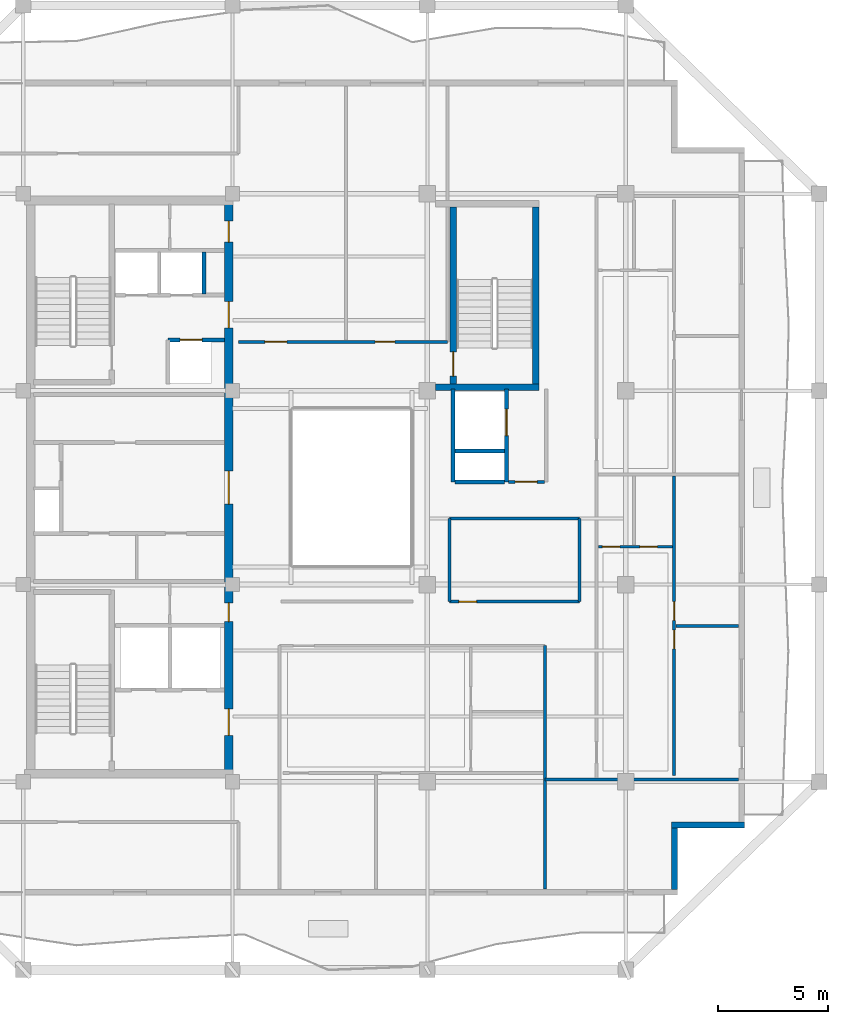
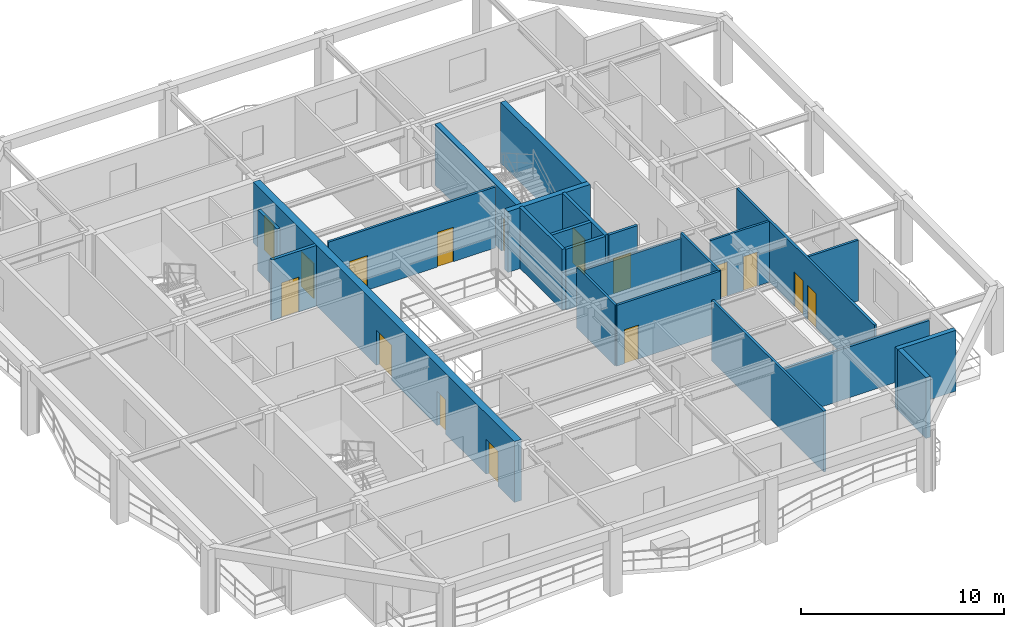
# One storey, part 4 of 10: 23 walls, 16 doors, 16 openings.
"""IFC4 building model written with IfcOpenShell, lengths in metres."""

from ifc_helpers import new_model, si_unit, direction, frame, frame_2d, origin, place, context, subcontext, project, spatial, rectangle, extrude, material, layer, layer_set, type_object, element, fill, save


model = new_model("IFC4")

# Units and contexts
model_context = context("Model", 3, precision=1e-05, world=origin(), true_north=direction((0.0, 1.0)))
body_context = subcontext(model_context, "Body", "Model", "MODEL_VIEW")
ifc_project = project(units=[si_unit("LENGTHUNIT", "METRE"), si_unit("AREAUNIT", "SQUARE_METRE"), si_unit("VOLUMEUNIT", "CUBIC_METRE"), si_unit("PLANEANGLEUNIT", "RADIAN"), si_unit("MASSUNIT", "GRAM", prefix="KILO")], contexts=[model_context])

# Site, building, storey
site_placement = place(None, origin())
site = spatial("IfcSite", under=ifc_project, at=site_placement, CompositionType="ELEMENT")
building_placement = place(site_placement, origin())
building = spatial("IfcBuilding", under=site, at=building_placement, Name="Kundavana Baori Tower", CompositionType="ELEMENT")
storey_placement = place(building_placement, frame((0.0, 0.0, 296.0)))
storey = spatial("IfcBuildingStorey", under=building, at=storey_placement, Name="L73", CompositionType="ELEMENT", Elevation=296.0)

# Wall, openings, doors
ifc_material_1 = material(Name="Concrete C50/60", Category="concrete")
ifc_layer_1 = layer(ifc_material_1, 0.39990234375, Name="WL-CORE-400")
ifc_layer_set_1 = layer_set([ifc_layer_1], Name="Concrete C50/60")
wall_type_1 = type_object("IfcWallType", Name="WL-CORE-400", PredefinedType="SHEAR", material=ifc_layer_set_1)
wall_1_placement = place(storey_placement, frame((24.780029296875, 15.739990234375, 0.0), z_axis=(0.0, 0.0, 1.0), x_axis=(0.0, 1.0, 0.0)))
wall_1 = element("IfcWall", 1, at=wall_1_placement, inside=storey, type_object=wall_type_1, Name="L73 Offset Core East Shear Wall", PredefinedType="SHEAR", context=body_context, shape_type="SweptSolid", body=[
    extrude(rectangle(XDim=25.760009765625, YDim=0.39990234375, at=frame_2d((12.8798828125, 0.0))), origin(), (0.0, 0.0, 1.0), 3.659912109375),
])
opening_1_placement = place(wall_1_placement, frame((1.610107421875, 0.0, 0.0)))
opening_1 = element("IfcOpeningElement", 2, at=opening_1_placement, cuts=wall_1, Name="Opening FD-120", PredefinedType="OPENING", context=body_context, shape_type="SweptSolid", body=[
    extrude(rectangle(XDim=1.199951171875, YDim=2.10009765625, at=frame_2d((0.60009765625, 1.050048828125))), frame((0.0, 0.2099609375, 0.0), z_axis=(0.0, -1.0, 0.0), x_axis=(1.0, 0.0, 0.0)), (0.0, 0.0, 1.0), 0.419921875),
])
opening_2_placement = place(wall_1_placement, frame((6.780029296875, 0.0, 0.0)))
opening_2 = element("IfcOpeningElement", 3, at=opening_2_placement, cuts=wall_1, Name="Opening FD-085", PredefinedType="OPENING", context=body_context, shape_type="SweptSolid", body=[
    extrude(rectangle(XDim=0.85009765625, YDim=2.06005859375, at=frame_2d((0.425048828125, 1.030029296875))), frame((0.0, 0.2099609375, 0.0), z_axis=(0.0, -1.0, 0.0), x_axis=(1.0, 0.0, 0.0)), (0.0, 0.0, 1.0), 0.419921875),
])
opening_3_placement = place(wall_1_placement, frame((12.110107421875, 0.0, 0.0)))
opening_3 = element("IfcOpeningElement", 4, at=opening_3_placement, cuts=wall_1, Name="Opening FD-150", PredefinedType="OPENING", context=body_context, shape_type="SweptSolid", body=[
    extrude(rectangle(XDim=1.5, YDim=2.1201171875, at=frame_2d((0.75, 1.06005859375))), frame((0.0, 0.2099609375, 0.0), z_axis=(0.0, -1.0, 0.0), x_axis=(1.0, 0.0, 0.0)), (0.0, 0.0, 1.0), 0.419921875),
])
opening_4_placement = place(wall_1_placement, frame((20.110107421875, 0.0, 0.0)))
opening_4 = element("IfcOpeningElement", 5, at=opening_4_placement, cuts=wall_1, Name="Opening FD-122", PredefinedType="OPENING", context=body_context, shape_type="SweptSolid", body=[
    extrude(rectangle(XDim=1.199951171875, YDim=2.1201171875, at=frame_2d((0.60009765625, 1.06005859375))), frame((0.0, 0.2099609375, 0.0), z_axis=(0.0, -1.0, 0.0), x_axis=(1.0, 0.0, 0.0)), (0.0, 0.0, 1.0), 0.419921875),
])
opening_5_placement = place(wall_1_placement, frame((24.010009765625, 0.0, 0.0)))
opening_5 = element("IfcOpeningElement", 6, at=opening_5_placement, cuts=wall_1, Name="Opening FD-095", PredefinedType="OPENING", context=body_context, shape_type="SweptSolid", body=[
    extrude(rectangle(XDim=0.949951171875, YDim=2.10009765625, at=frame_2d((0.47509765625, 1.050048828125))), frame((0.0, 0.2099609375, 0.0), z_axis=(0.0, -1.0, 0.0), x_axis=(1.0, 0.0, 0.0)), (0.0, 0.0, 1.0), 0.419921875),
])
ifc_material_2 = material(Name="Galvanised Steel Fire-Rated Door Leaf", Category="steel")
door_type_1 = type_object("IfcDoorType", Name="DR-FD120-1200", OperationType="NOTDEFINED", PredefinedType="DOOR", material=ifc_material_2)
door_1_placement = place(opening_1_placement, frame((1.199951171875, 0.0, 0.0), z_axis=(0.0, 0.0, 1.0), x_axis=(-1.0, 0.0, 0.0)))
door_1 = element("IfcDoor", 7, at=door_1_placement, inside=storey, type_object=door_type_1, Name="DR-L73-FFLOB-E", OperationType="SINGLE_SWING_RIGHT", OverallHeight=2.10009765625, OverallWidth=1.199951171875, PredefinedType="DOOR", context=body_context, shape_type="SweptSolid", body=[
    extrude(rectangle(XDim=1.199951171875, YDim=2.10009765625, at=frame_2d((0.60009765625, 1.050048828125))), frame((0.0, 0.02490234375, 0.0), z_axis=(0.0, -1.0, 0.0), x_axis=(1.0, 0.0, 0.0)), (0.0, 0.0, 1.0), 0.050048828125),
])
fill(opening_1, door_1)
ifc_material_3 = material(Name="Galvanised Steel Fire-Rated Door Leaf", Category="steel")
door_type_2 = type_object("IfcDoorType", Name="DR-FD60-1200", OperationType="NOTDEFINED", PredefinedType="DOOR", material=ifc_material_3)
door_2_placement = place(opening_4_placement, frame((1.199951171875, 0.0, 0.0), z_axis=(0.0, 0.0, 1.0), x_axis=(-1.0, 0.0, 0.0)))
door_2 = element("IfcDoor", 8, at=door_2_placement, inside=storey, type_object=door_type_2, Name="DR-L73-HRLOB-E", OperationType="SINGLE_SWING_RIGHT", OverallHeight=2.1201171875, OverallWidth=1.199951171875, PredefinedType="DOOR", context=body_context, shape_type="SweptSolid", body=[
    extrude(rectangle(XDim=1.199951171875, YDim=2.1201171875, at=frame_2d((0.60009765625, 1.06005859375))), frame((0.0, 0.02490234375, 0.0), z_axis=(0.0, -1.0, 0.0), x_axis=(1.0, 0.0, 0.0)), (0.0, 0.0, 1.0), 0.050048828125),
])
fill(opening_4, door_2)
ifc_material_4 = material(Name="Galvanised Steel Fire-Rated Door Leaf", Category="steel")
door_type_3 = type_object("IfcDoorType", Name="DR-FD60-1500", OperationType="NOTDEFINED", PredefinedType="DOOR", material=ifc_material_4)
door_3_placement = place(opening_3_placement, frame((1.5, 0.0, 0.0), z_axis=(0.0, 0.0, 1.0), x_axis=(-1.0, 0.0, 0.0)))
door_3 = element("IfcDoor", 9, at=door_3_placement, inside=storey, type_object=door_type_3, Name="DR-L73-LIFTHALL-E", OperationType="SINGLE_SWING_LEFT", OverallHeight=2.1201171875, OverallWidth=1.5, PredefinedType="DOOR", context=body_context, shape_type="SweptSolid", body=[
    extrude(rectangle(XDim=1.5, YDim=2.1201171875, at=frame_2d((0.75, 1.06005859375))), frame((0.0, 0.02490234375, 0.0), z_axis=(0.0, -1.0, 0.0), x_axis=(1.0, 0.0, 0.0)), (0.0, 0.0, 1.0), 0.050048828125),
])
fill(opening_3, door_3)
ifc_material_5 = material(Name="Galvanised Steel Fire-Rated Door Leaf", Category="steel")
door_type_4 = type_object("IfcDoorType", Name="DR-FD60-850", OperationType="NOTDEFINED", PredefinedType="DOOR", material=ifc_material_5)
door_4_placement = place(opening_2_placement, frame((0.85009765625, 0.0, 0.0), z_axis=(0.0, 0.0, 1.0), x_axis=(-1.0, 0.0, 0.0)))
door_4 = element("IfcDoor", 10, at=door_4_placement, inside=storey, type_object=door_type_4, Name="DR-L73-CSMK2", OperationType="SINGLE_SWING_RIGHT", OverallHeight=2.06005859375, OverallWidth=0.85009765625, PredefinedType="DOOR", context=body_context, shape_type="SweptSolid", body=[
    extrude(rectangle(XDim=0.85009765625, YDim=2.06005859375, at=frame_2d((0.425048828125, 1.030029296875))), frame((0.0, 0.02490234375, 0.0), z_axis=(0.0, -1.0, 0.0), x_axis=(1.0, 0.0, 0.0)), (0.0, 0.0, 1.0), 0.050048828125),
])
fill(opening_2, door_4)
ifc_material_6 = material(Name="Engineered Teak Fire-Rated Timber Door Leaf", Category="wood")
door_type_5 = type_object("IfcDoorType", Name="DR-FD60-950", OperationType="NOTDEFINED", PredefinedType="DOOR", material=ifc_material_6)
door_5_placement = place(opening_5_placement, frame((0.949951171875, 0.0, 0.0), z_axis=(0.0, 0.0, 1.0), x_axis=(-1.0, 0.0, 0.0)))
door_5 = element("IfcDoor", 11, at=door_5_placement, inside=storey, type_object=door_type_5, Name="DR-L73-CSRV2", OperationType="SINGLE_SWING_RIGHT", OverallHeight=2.10009765625, OverallWidth=0.949951171875, PredefinedType="DOOR", context=body_context, shape_type="SweptSolid", body=[
    extrude(rectangle(XDim=0.949951171875, YDim=2.10009765625, at=frame_2d((0.47509765625, 1.050048828125))), frame((0.0, 0.02490234375, 0.0), z_axis=(0.0, -1.0, 0.0), x_axis=(1.0, 0.0, 0.0)), (0.0, 0.0, 1.0), 0.050048828125),
])
fill(opening_5, door_5)

# Walls
ifc_material_7 = material(Name="Kiln-Fired Terracotta Brick-Slip Masonry on Concrete C40/50", Category="masonry")
ifc_layer_2 = layer(ifc_material_7, 0.260009765625, Name="WL-EXT-BRK-260")
ifc_layer_set_2 = layer_set([ifc_layer_2], Name="Kiln-Fired Terracotta Brick-Slip Masonry on Concrete C40/50")
wall_type_2 = type_object("IfcWallType", Name="WL-EXT-BRK-260", PredefinedType="SOLIDWALL", material=ifc_layer_set_2)
wall_2_placement = place(storey_placement, frame((45.02001953125, 10.360107421875, 0.0), z_axis=(0.0, 0.0, 1.0), x_axis=(0.0, 1.0, 0.0)))
element("IfcWall", 12, at=wall_2_placement, inside=storey, type_object=wall_type_2, Name="L73 Exterior Insulated Facade Wall 02", PredefinedType="SOLIDWALL", context=body_context, shape_type="SweptSolid", body=[
    extrude(rectangle(XDim=2.789794921875, YDim=0.260009765625, at=frame_2d((1.39501953125, 0.0))), origin(), (0.0, 0.0, 1.0), 3.659912109375),
])
wall_3_placement = place(storey_placement, frame((44.889892578125, 13.280029296875, 0.0), z_axis=(0.0, 0.0, 1.0), x_axis=(1.0, 0.0, 0.0)))
element("IfcWall", 13, at=wall_3_placement, inside=storey, type_object=wall_type_2, Name="L73 Exterior Insulated Facade Wall 03", PredefinedType="SOLIDWALL", context=body_context, shape_type="SweptSolid", body=[
    extrude(rectangle(XDim=3.31005859375, YDim=0.260009765625, at=frame_2d((1.655029296875, 0.0))), origin(), (0.0, 0.0, 1.0), 3.659912109375),
])

# Wall, openings, doors
ifc_material_8 = material(Name="Acoustic Gypsum Plasterboard on Galvanised Steel Studs", Category="steel")
ifc_layer_3 = layer(ifc_material_8, 0.135009765625, Name="WL-PART-135")
ifc_layer_set_3 = layer_set([ifc_layer_3], Name="Acoustic Gypsum Plasterboard on Galvanised Steel Studs")
wall_type_3 = type_object("IfcWallType", Name="WL-PART-135", PredefinedType="PARTITIONING", material=ifc_layer_set_3)
wall_4_placement = place(storey_placement, frame((25.219970703125, 35.219970703125, 0.0), z_axis=(0.0, 0.0, 1.0), x_axis=(1.0, 0.0, 0.0)))
wall_4 = element("IfcWall", 14, at=wall_4_placement, inside=storey, type_object=wall_type_3, Name="WL-L73-RN", PredefinedType="PARTITIONING", context=body_context, shape_type="SweptSolid", body=[
    extrude(rectangle(XDim=9.5, YDim=0.135009765625, at=frame_2d((4.75, 0.0))), origin(), (0.0, 0.0, 1.0), 3.659912109375),
])
opening_6_placement = place(wall_4_placement, frame((1.199951171875, 0.0, 0.0)))
opening_6 = element("IfcOpeningElement", 15, at=opening_6_placement, cuts=wall_4, Name="Opening ID-100", PredefinedType="OPENING", context=body_context, shape_type="SweptSolid", body=[
    extrude(rectangle(XDim=1.0, YDim=2.080078125, at=frame_2d((0.5, 1.0400390625))), frame((0.0, 0.07763671875, 0.0), z_axis=(0.0, -1.0, 0.0), x_axis=(1.0, 0.0, 0.0)), (0.0, 0.0, 1.0), 0.155029296875),
])
opening_7_placement = place(wall_4_placement, frame((6.199951171875, 0.0, 0.0)))
opening_7 = element("IfcOpeningElement", 16, at=opening_7_placement, cuts=wall_4, Name="Opening ID-090", PredefinedType="OPENING", context=body_context, shape_type="SweptSolid", body=[
    extrude(rectangle(XDim=0.89990234375, YDim=2.080078125, at=frame_2d((0.449951171875, 1.0400390625))), frame((0.0, 0.07763671875, 0.0), z_axis=(0.0, -1.0, 0.0), x_axis=(1.0, 0.0, 0.0)), (0.0, 0.0, 1.0), 0.155029296875),
])
ifc_material_9 = material(Name="Engineered Teak Solid-Core Timber Veneer", Category="wood")
door_type_6 = type_object("IfcDoorType", Name="DR-INT-1000", OperationType="NOTDEFINED", PredefinedType="DOOR", material=ifc_material_9)
door_6_placement = place(opening_6_placement, origin())
door_6 = element("IfcDoor", 17, at=door_6_placement, inside=storey, type_object=door_type_6, Name="DR-L73-RLN1", OperationType="SINGLE_SWING_LEFT", OverallHeight=2.080078125, OverallWidth=1.0, PredefinedType="DOOR", context=body_context, shape_type="SweptSolid", body=[
    extrude(rectangle(XDim=1.0, YDim=2.080078125, at=frame_2d((0.5, 1.0400390625))), frame((0.0, 0.02490234375, 0.0), z_axis=(0.0, -1.0, 0.0), x_axis=(1.0, 0.0, 0.0)), (0.0, 0.0, 1.0), 0.050048828125),
])
fill(opening_6, door_6)
ifc_material_10 = material(Name="Engineered Teak Solid-Core Timber Veneer", Category="wood")
door_type_7 = type_object("IfcDoorType", Name="DR-INT-900", OperationType="NOTDEFINED", PredefinedType="DOOR", material=ifc_material_10)
door_7_placement = place(opening_7_placement, origin())
door_7 = element("IfcDoor", 18, at=door_7_placement, inside=storey, type_object=door_type_7, Name="DR-L73-RLN2", OperationType="SINGLE_SWING_RIGHT", OverallHeight=2.080078125, OverallWidth=0.89990234375, PredefinedType="DOOR", context=body_context, shape_type="SweptSolid", body=[
    extrude(rectangle(XDim=0.89990234375, YDim=2.080078125, at=frame_2d((0.449951171875, 1.0400390625))), frame((0.0, 0.02490234375, 0.0), z_axis=(0.0, -1.0, 0.0), x_axis=(1.0, 0.0, 0.0)), (0.0, 0.0, 1.0), 0.050048828125),
])
fill(opening_7, door_7)

# Walls
wall_5_placement = place(storey_placement, frame((39.14990234375, 10.3798828125, 0.0), z_axis=(0.0, 0.0, 1.0), x_axis=(0.0, 1.0, 0.0)))
element("IfcWall", 19, at=wall_5_placement, inside=storey, type_object=wall_type_3, Name="WL-L73-RSEND", PredefinedType="PARTITIONING", context=body_context, shape_type="SweptSolid", body=[
    extrude(rectangle(XDim=11.0400390625, YDim=0.135009765625, at=frame_2d((5.52001953125, 0.0))), origin(), (0.0, 0.0, 1.0), 3.659912109375),
])
wall_6_placement = place(storey_placement, frame((39.14990234375, 15.35009765625, 0.0), z_axis=(0.0, 0.0, 1.0), x_axis=(1.0, 0.0, 0.0)))
element("IfcWall", 20, at=wall_6_placement, inside=storey, type_object=wall_type_3, Name="WL-L73-RES", PredefinedType="PARTITIONING", context=body_context, shape_type="SweptSolid", body=[
    extrude(rectangle(XDim=8.77001953125, YDim=0.135009765625, at=frame_2d((4.385009765625, 0.0))), origin(), (0.0, 0.0, 1.0), 3.06005859375),
])

# Wall, openings, doors
wall_7_placement = place(storey_placement, frame((45.00390625, 15.530029296875, 0.0), z_axis=(0.0, 0.0, 1.0), x_axis=(0.0, 1.0, 0.0)))
wall_7 = element("IfcWall", 21, at=wall_7_placement, inside=storey, type_object=wall_type_3, Name="WL-L73-E1-VT", PredefinedType="PARTITIONING", context=body_context, shape_type="SweptSolid", body=[
    extrude(rectangle(XDim=13.590087890625, YDim=0.135009765625, at=frame_2d((6.794921875, 0.0))), origin(), (0.0, 0.0, 1.0), 3.659912109375),
])
opening_8_placement = place(wall_7_placement, frame((5.7451171875, 0.0, 0.0)))
opening_8 = element("IfcOpeningElement", 22, at=opening_8_placement, cuts=wall_7, Name="Opening ID-085", PredefinedType="OPENING", context=body_context, shape_type="SweptSolid", body=[
    extrude(rectangle(XDim=0.85009765625, YDim=2.080078125, at=frame_2d((0.425048828125, 1.0400390625))), frame((0.0, 0.07763671875, 0.0), z_axis=(0.0, -1.0, 0.0), x_axis=(1.0, 0.0, 0.0)), (0.0, 0.0, 1.0), 0.155029296875),
])
opening_9_placement = place(wall_7_placement, frame((7.044921875, 0.0, 0.0)))
opening_9 = element("IfcOpeningElement", 23, at=opening_9_placement, cuts=wall_7, Name="Opening ID-085", PredefinedType="OPENING", context=body_context, shape_type="SweptSolid", body=[
    extrude(rectangle(XDim=0.85009765625, YDim=2.080078125, at=frame_2d((0.425048828125, 1.0400390625))), frame((0.0, 0.07763671875, 0.0), z_axis=(0.0, -1.0, 0.0), x_axis=(1.0, 0.0, 0.0)), (0.0, 0.0, 1.0), 0.155029296875),
])
ifc_material_11 = material(Name="Engineered Teak Solid-Core Timber Veneer", Category="wood")
door_type_8 = type_object("IfcDoorType", Name="DR-INT-850", OperationType="NOTDEFINED", PredefinedType="DOOR", material=ifc_material_11)
door_8_placement = place(opening_8_placement, origin())
door_8 = element("IfcDoor", 24, at=door_8_placement, inside=storey, type_object=door_type_8, Name="DR-L73-E1-B1", OperationType="SINGLE_SWING_LEFT", OverallHeight=2.080078125, OverallWidth=0.85009765625, PredefinedType="DOOR", context=body_context, shape_type="SweptSolid", body=[
    extrude(rectangle(XDim=0.85009765625, YDim=2.080078125, at=frame_2d((0.425048828125, 1.0400390625))), frame((0.0, 0.02490234375, 0.0), z_axis=(0.0, -1.0, 0.0), x_axis=(1.0, 0.0, 0.0)), (0.0, 0.0, 1.0), 0.050048828125),
])
fill(opening_8, door_8)
door_9_placement = place(opening_9_placement, origin())
door_9 = element("IfcDoor", 25, at=door_9_placement, inside=storey, type_object=door_type_8, Name="DR-L73-E1-B2", OperationType="SINGLE_SWING_RIGHT", OverallHeight=2.080078125, OverallWidth=0.85009765625, PredefinedType="DOOR", context=body_context, shape_type="SweptSolid", body=[
    extrude(rectangle(XDim=0.85009765625, YDim=2.080078125, at=frame_2d((0.425048828125, 1.0400390625))), frame((0.0, 0.02490234375, 0.0), z_axis=(0.0, -1.0, 0.0), x_axis=(1.0, 0.0, 0.0)), (0.0, 0.0, 1.0), 0.050048828125),
])
fill(opening_9, door_9)

# Wall
wall_8_placement = place(storey_placement, frame((45.083984375, 22.324951171875, 0.0), z_axis=(0.0, 0.0, 1.0), x_axis=(1.0, 0.0, 0.0)))
element("IfcWall", 26, at=wall_8_placement, inside=storey, type_object=wall_type_3, Name="WL-L73-E1-BDH", PredefinedType="PARTITIONING", context=body_context, shape_type="SweptSolid", body=[
    extrude(rectangle(XDim=2.8359375, YDim=0.135009765625, at=frame_2d((1.41796875, 0.0))), origin(), (0.0, 0.0, 1.0), 3.659912109375),
])

# Wall, opening, door
wall_9_placement = place(storey_placement, frame((34.800048828125, 23.419921875, 0.0), z_axis=(0.0, 0.0, 1.0), x_axis=(1.0, 0.0, 0.0)))
wall_9 = element("IfcWall", 27, at=wall_9_placement, inside=storey, type_object=wall_type_3, Name="WL-L73-ALS", PredefinedType="PARTITIONING", context=body_context, shape_type="SweptSolid", body=[
    extrude(rectangle(XDim=5.89990234375, YDim=0.135009765625, at=frame_2d((2.949951171875, 0.0))), origin(), (0.0, 0.0, 1.0), 3.659912109375),
])
opening_10_placement = place(wall_9_placement, frame((0.429931640625, 0.0, 0.0)))
opening_10 = element("IfcOpeningElement", 28, at=opening_10_placement, cuts=wall_9, Name="Opening WD-080", PredefinedType="OPENING", context=body_context, shape_type="SweptSolid", body=[
    extrude(rectangle(XDim=0.800048828125, YDim=2.050048828125, at=frame_2d((0.39990234375, 1.02490234375))), frame((0.0, 0.07763671875, 0.0), z_axis=(0.0, -1.0, 0.0), x_axis=(1.0, 0.0, 0.0)), (0.0, 0.0, 1.0), 0.155029296875),
])
ifc_material_12 = material(Name="Engineered Teak Solid-Core Timber Veneer", Category="wood")
door_type_9 = type_object("IfcDoorType", Name="DR-WET-800", OperationType="NOTDEFINED", PredefinedType="DOOR", material=ifc_material_12)
door_10_placement = place(opening_10_placement, origin())
door_10 = element("IfcDoor", 29, at=door_10_placement, inside=storey, type_object=door_type_9, Name="DR-L73-RALC1", OperationType="SINGLE_SWING_LEFT", OverallHeight=2.050048828125, OverallWidth=0.800048828125, PredefinedType="DOOR", context=body_context, shape_type="SweptSolid", body=[
    extrude(rectangle(XDim=0.800048828125, YDim=2.050048828125, at=frame_2d((0.39990234375, 1.02490234375))), frame((0.0, 0.02490234375, 0.0), z_axis=(0.0, -1.0, 0.0), x_axis=(1.0, 0.0, 0.0)), (0.0, 0.0, 1.0), 0.050048828125),
])
fill(opening_10, door_10)

# Walls
wall_10_placement = place(storey_placement, frame((34.800048828125, 27.199951171875, 0.0), z_axis=(0.0, 0.0, 1.0), x_axis=(1.0, 0.0, 0.0)))
element("IfcWall", 30, at=wall_10_placement, inside=storey, type_object=wall_type_3, Name="WL-L73-ALN", PredefinedType="PARTITIONING", context=body_context, shape_type="SweptSolid", body=[
    extrude(rectangle(XDim=5.89990234375, YDim=0.135009765625, at=frame_2d((2.949951171875, 0.0))), origin(), (0.0, 0.0, 1.0), 3.360107421875),
])
for number, where, z_axis, x_axis, name in (
    (31, (34.800048828125, 23.419921875, 0.0), (0.0, 0.0, 1.0), (0.0, 1.0, 0.0), "WL-L73-ALW"),
    (32, (40.699951171875, 23.419921875, 0.0), (0.0, 0.0, 1.0), (0.0, 1.0, 0.0), "WL-L73-ALE"),
):
    element("IfcWall", number, at=place(storey_placement, frame(where, z_axis=z_axis, x_axis=x_axis)), inside=storey, type_object=wall_type_3, Name=name, PredefinedType="PARTITIONING", context=body_context, shape_type="SweptSolid", body=[
        extrude(rectangle(XDim=3.780029296875, YDim=0.135009765625, at=frame_2d((1.89013671875, 0.0))), origin(), (0.0, 0.0, 1.0), 3.659912109375),
    ])

# Wall, opening, door
ifc_material_13 = material(Name="Fire-Rated Gypsum Drywall on Galvanised Steel Studs", Category="steel")
ifc_layer_4 = layer(ifc_material_13, 0.14990234375, Name="WL-PART-150")
ifc_layer_set_4 = layer_set([ifc_layer_4], Name="Fire-Rated Gypsum Drywall on Galvanised Steel Studs")
wall_type_4 = type_object("IfcWallType", Name="WL-PART-150", PredefinedType="PARTITIONING", material=ifc_layer_set_4)
wall_11_placement = place(storey_placement, frame((37.47998046875, 28.860107421875, 0.0), z_axis=(0.0, 0.0, 1.0), x_axis=(1.0, 0.0, 0.0)))
wall_11 = element("IfcWall", 33, at=wall_11_placement, inside=storey, type_object=wall_type_4, Name="WL-L73-SVLOB-S", PredefinedType="PARTITIONING", context=body_context, shape_type="SweptSolid", body=[
    extrude(rectangle(XDim=1.64013671875, YDim=0.14990234375, at=frame_2d((0.820068359375, 0.0))), origin(), (0.0, 0.0, 1.0), 3.659912109375),
])
opening_11_placement = place(wall_11_placement, frame((0.300048828125, 0.0, 0.0)))
opening_11 = element("IfcOpeningElement", 34, at=opening_11_placement, cuts=wall_11, Name="Opening FD-100", PredefinedType="OPENING", context=body_context, shape_type="SweptSolid", body=[
    extrude(rectangle(XDim=1.0, YDim=2.10009765625, at=frame_2d((0.5, 1.050048828125))), frame((0.0, 0.0849609375, 0.0), z_axis=(0.0, -1.0, 0.0), x_axis=(1.0, 0.0, 0.0)), (0.0, 0.0, 1.0), 0.169921875),
])
ifc_material_14 = material(Name="Engineered Teak Fire-Rated Timber Door Leaf", Category="wood")
door_type_10 = type_object("IfcDoorType", Name="DR-FD60-1000", OperationType="NOTDEFINED", PredefinedType="DOOR", material=ifc_material_14)
door_11_placement = place(opening_11_placement, origin())
door_11 = element("IfcDoor", 35, at=door_11_placement, inside=storey, type_object=door_type_10, Name="DR-L73-SVLOB-OUT", OperationType="SINGLE_SWING_LEFT", OverallHeight=2.10009765625, OverallWidth=1.0, PredefinedType="DOOR", context=body_context, shape_type="SweptSolid", body=[
    extrude(rectangle(XDim=1.0, YDim=2.10009765625, at=frame_2d((0.5, 1.050048828125))), frame((0.0, 0.02490234375, 0.0), z_axis=(0.0, -1.0, 0.0), x_axis=(1.0, 0.0, 0.0)), (0.0, 0.0, 1.0), 0.050048828125),
])
fill(opening_11, door_11)

ifc_material_15 = material(Name="Autoclaved Aerated Concrete Blockwork Masonry", Category="masonry")
ifc_layer_5 = layer(ifc_material_15, 0.179931640625, Name="WL-SHAFT-180")
ifc_layer_set_5 = layer_set([ifc_layer_5], Name="Autoclaved Aerated Concrete Blockwork Masonry")
wall_type_5 = type_object("IfcWallType", Name="WL-SHAFT-180", PredefinedType="SOLIDWALL", material=ifc_layer_set_5)
wall_12_placement = place(storey_placement, frame((22.02001953125, 35.31005859375, 0.0), z_axis=(0.0, 0.0, 1.0), x_axis=(1.0, 0.0, 0.0)))
wall_12 = element("IfcWall", 36, at=wall_12_placement, inside=storey, type_object=wall_type_5, Name="WL-L73-LP11-N", PredefinedType="SOLIDWALL", context=body_context, shape_type="SweptSolid", body=[
    extrude(rectangle(XDim=2.56005859375, YDim=0.179931640625, at=frame_2d((1.280029296875, 0.0))), origin(), (0.0, 0.0, 1.0), 3.659912109375),
])
opening_12_placement = place(wall_12_placement, frame((0.550048828125, 0.0, 0.0)))
opening_12 = element("IfcOpeningElement", 37, at=opening_12_placement, cuts=wall_12, Name="Opening LD-100", PredefinedType="OPENING", context=body_context, shape_type="SweptSolid", body=[
    extrude(rectangle(XDim=1.0, YDim=2.10009765625, at=frame_2d((0.5, 1.050048828125))), frame((0.0, 0.10009765625, 0.0), z_axis=(0.0, -1.0, 0.0), x_axis=(1.0, 0.0, 0.0)), (0.0, 0.0, 1.0), 0.199951171875),
])
ifc_material_16 = material(Name="Galvanised Steel Fire-Rated Door Leaf", Category="steel")
door_type_11 = type_object("IfcDoorType", Name="DR-SLIDE-LD1000", OperationType="NOTDEFINED", PredefinedType="DOOR", material=ifc_material_16)
door_12_placement = place(opening_12_placement, origin())
door_12 = element("IfcDoor", 38, at=door_12_placement, inside=storey, type_object=door_type_11, Name="DR-L73-LD-LP11", OperationType="DOUBLE_DOOR_SLIDING", OverallHeight=2.10009765625, OverallWidth=1.0, PredefinedType="DOOR", context=body_context, shape_type="SweptSolid", body=[
    extrude(rectangle(XDim=1.0, YDim=2.10009765625, at=frame_2d((0.5, 1.050048828125))), frame((0.0, 0.02490234375, 0.0), z_axis=(0.0, -1.0, 0.0), x_axis=(1.0, 0.0, 0.0)), (0.0, 0.0, 1.0), 0.050048828125),
])
fill(opening_12, door_12)

# Walls
wall_13_placement = place(storey_placement, frame((23.659912109375, 37.39990234375, 0.0), z_axis=(0.0, 0.0, 1.0), x_axis=(0.0, 1.0, 0.0)))
element("IfcWall", 39, at=wall_13_placement, inside=storey, type_object=wall_type_5, Name="WL-L73-HR-DIV2", PredefinedType="SOLIDWALL", context=body_context, shape_type="SweptSolid", body=[
    extrude(rectangle(XDim=1.900146484375, YDim=0.179931640625, at=frame_2d((0.9501953125, 0.0))), origin(), (0.0, 0.0, 1.0), 3.659912109375),
])
wall_14_placement = place(storey_placement, frame((34.9599609375, 28.860107421875, 0.0), z_axis=(0.0, 0.0, 1.0), x_axis=(0.0, 1.0, 0.0)))
element("IfcWall", 40, at=wall_14_placement, inside=storey, type_object=wall_type_5, Name="WL-L73-SVL-W", PredefinedType="SOLIDWALL", context=body_context, shape_type="SweptSolid", body=[
    extrude(rectangle(XDim=4.219970703125, YDim=0.179931640625, at=frame_2d((2.10986328125, 0.0))), origin(), (0.0, 0.0, 1.0), 3.659912109375),
])

# Wall, opening, door
wall_15_placement = place(storey_placement, frame((37.389892578125, 28.860107421875, 0.0), z_axis=(0.0, 0.0, 1.0), x_axis=(0.0, 1.0, 0.0)))
wall_15 = element("IfcWall", 41, at=wall_15_placement, inside=storey, type_object=wall_type_5, Name="WL-L73-SVL-E", PredefinedType="SOLIDWALL", context=body_context, shape_type="SweptSolid", body=[
    extrude(rectangle(XDim=4.219970703125, YDim=0.179931640625, at=frame_2d((2.10986328125, 0.0))), origin(), (0.0, 0.0, 1.0), 3.659912109375),
])
opening_13_placement = place(wall_15_placement, frame((2.10009765625, 0.0, 0.0)))
opening_13 = element("IfcOpeningElement", 42, at=opening_13_placement, cuts=wall_15, Name="Opening LD-120", PredefinedType="OPENING", context=body_context, shape_type="SweptSolid", body=[
    extrude(rectangle(XDim=1.199951171875, YDim=2.1201171875, at=frame_2d((0.60009765625, 1.06005859375))), frame((0.0, 0.10009765625, 0.0), z_axis=(0.0, -1.0, 0.0), x_axis=(1.0, 0.0, 0.0)), (0.0, 0.0, 1.0), 0.199951171875),
])
ifc_material_17 = material(Name="Galvanised Steel Fire-Rated Door Leaf", Category="steel")
door_type_12 = type_object("IfcDoorType", Name="DR-SLIDE-LD1200", OperationType="NOTDEFINED", PredefinedType="DOOR", material=ifc_material_17)
door_13_placement = place(opening_13_placement, frame((1.199951171875, 0.0, 0.0), z_axis=(0.0, 0.0, 1.0), x_axis=(-1.0, 0.0, 0.0)))
door_13 = element("IfcDoor", 43, at=door_13_placement, inside=storey, type_object=door_type_12, Name="DR-L73-LD-SVL1", OperationType="DOUBLE_DOOR_SLIDING", OverallHeight=2.1201171875, OverallWidth=1.199951171875, PredefinedType="DOOR", context=body_context, shape_type="SweptSolid", body=[
    extrude(rectangle(XDim=1.199951171875, YDim=2.1201171875, at=frame_2d((0.60009765625, 1.06005859375))), frame((0.0, 0.02490234375, 0.0), z_axis=(0.0, -1.0, 0.0), x_axis=(1.0, 0.0, 0.0)), (0.0, 0.0, 1.0), 0.050048828125),
])
fill(opening_13, door_13)

# Walls
for number, where, z_axis, x_axis, name in (
    (44, (35.050048828125, 28.860107421875, 0.0), (0.0, 0.0, 1.0), (1.0, 0.0, 0.0), "WL-L73-SVL-S"),
    (45, (35.050048828125, 30.27001953125, 0.0), (0.0, 0.0, 1.0), (1.0, 0.0, 0.0), "WL-L73-SVL-M"),
):
    element("IfcWall", number, at=place(storey_placement, frame(where, z_axis=z_axis, x_axis=x_axis)), inside=storey, type_object=wall_type_5, Name=name, PredefinedType="SOLIDWALL", context=body_context, shape_type="SweptSolid", body=[
        extrude(rectangle(XDim=2.25, YDim=0.179931640625, at=frame_2d((1.125, 0.0))), origin(), (0.0, 0.0, 1.0), 3.659912109375),
    ])
ifc_material_18 = material(Name="Concrete C50/60", Category="concrete")
ifc_layer_6 = layer(ifc_material_18, 0.300048828125, Name="WL-ST3-300")
ifc_layer_set_6 = layer_set([ifc_layer_6], Name="Concrete C50/60")
wall_type_6 = type_object("IfcWallType", Name="WL-ST3-300", PredefinedType="SHEAR", material=ifc_layer_set_6)
wall_16_placement = place(storey_placement, frame((34.175048828125, 33.159912109375, 0.0), z_axis=(0.0, 0.0, 1.0), x_axis=(1.0, 0.0, 0.0)))
element("IfcWall", 46, at=wall_16_placement, inside=storey, type_object=wall_type_6, Name="L73 Stair ST3 South Shear Wall", PredefinedType="SHEAR", context=body_context, shape_type="SweptSolid", body=[
    extrude(rectangle(XDim=4.695068359375, YDim=0.300048828125, at=frame_2d((2.34765625, 0.0))), origin(), (0.0, 0.0, 1.0), 3.659912109375),
])

# Wall, opening, door
wall_17_placement = place(storey_placement, frame((34.97998046875, 33.31005859375, 0.0), z_axis=(0.0, 0.0, 1.0), x_axis=(0.0, 1.0, 0.0)))
wall_17 = element("IfcWall", 47, at=wall_17_placement, inside=storey, type_object=wall_type_6, Name="L73 Stair ST3 West Shear Wall", PredefinedType="SHEAR", context=body_context, shape_type="SweptSolid", body=[
    extrude(rectangle(XDim=8.030029296875, YDim=0.300048828125, at=frame_2d((4.01513671875, 0.0))), origin(), (0.0, 0.0, 1.0), 3.659912109375),
])
opening_14_placement = place(wall_17_placement, frame((0.35009765625, 0.0, 0.0)))
opening_14 = element("IfcOpeningElement", 48, at=opening_14_placement, cuts=wall_17, Name="Opening FD-110", PredefinedType="OPENING", context=body_context, shape_type="SweptSolid", body=[
    extrude(rectangle(XDim=1.10009765625, YDim=2.10009765625, at=frame_2d((0.550048828125, 1.050048828125))), frame((0.0, 0.16015625, 0.0), z_axis=(0.0, -1.0, 0.0), x_axis=(1.0, 0.0, 0.0)), (0.0, 0.0, 1.0), 0.320068359375),
])
ifc_material_19 = material(Name="Galvanised Steel Fire-Rated Door Leaf", Category="steel")
door_type_13 = type_object("IfcDoorType", Name="DR-FD120-1100", OperationType="NOTDEFINED", PredefinedType="DOOR", material=ifc_material_19)
door_14_placement = place(opening_14_placement, origin())
door_14 = element("IfcDoor", 49, at=door_14_placement, inside=storey, type_object=door_type_13, Name="DR-L73-ST3-W", OperationType="SINGLE_SWING_LEFT", OverallHeight=2.10009765625, OverallWidth=1.10009765625, PredefinedType="DOOR", context=body_context, shape_type="SweptSolid", body=[
    extrude(rectangle(XDim=1.10009765625, YDim=2.10009765625, at=frame_2d((0.550048828125, 1.050048828125))), frame((0.0, 0.02490234375, 0.0), z_axis=(0.0, -1.0, 0.0), x_axis=(1.0, 0.0, 0.0)), (0.0, 0.0, 1.0), 0.050048828125),
])
fill(opening_14, door_14)

# Wall
wall_18_placement = place(storey_placement, frame((38.719970703125, 33.31005859375, 0.0), z_axis=(0.0, 0.0, 1.0), x_axis=(0.0, 1.0, 0.0)))
element("IfcWall", 50, at=wall_18_placement, inside=storey, type_object=wall_type_6, Name="L73 Stair ST3 East Shear Wall", PredefinedType="SHEAR", context=body_context, shape_type="SweptSolid", body=[
    extrude(rectangle(XDim=8.030029296875, YDim=0.300048828125, at=frame_2d((4.01513671875, 0.0))), origin(), (0.0, 0.0, 1.0), 3.659912109375),
])

# Wall, openings, doors
ifc_material_20 = material(Name="Autoclaved Aerated Concrete Blockwork Masonry", Category="masonry")
ifc_layer_7 = layer(ifc_material_20, 0.125, Name="WL-WET-120")
ifc_layer_set_7 = layer_set([ifc_layer_7], Name="Autoclaved Aerated Concrete Blockwork Masonry")
wall_type_7 = type_object("IfcWallType", Name="WL-WET-120", PredefinedType="PLUMBINGWALL", material=ifc_layer_set_7)
wall_19_placement = place(storey_placement, frame((41.580078125, 25.919921875, 0.0), z_axis=(0.0, 0.0, 1.0), x_axis=(1.0, 0.0, 0.0)))
wall_19 = element("IfcWall", 51, at=wall_19_placement, inside=storey, type_object=wall_type_7, Name="WL-L73-E1-KH", PredefinedType="PLUMBINGWALL", context=body_context, shape_type="SweptSolid", body=[
    extrude(rectangle(XDim=3.343994140625, YDim=0.125, at=frame_2d((1.671875, 0.0))), origin(), (0.0, 0.0, 1.0), 3.659912109375),
])
opening_15_placement = place(wall_19_placement, frame((0.159912109375, 0.0, 0.0)))
opening_15 = element("IfcOpeningElement", 52, at=opening_15_placement, cuts=wall_19, Name="Opening WD-080", PredefinedType="OPENING", context=body_context, shape_type="SweptSolid", body=[
    extrude(rectangle(XDim=0.800048828125, YDim=2.050048828125, at=frame_2d((0.39990234375, 1.02490234375))), frame((0.0, 0.072509765625, 0.0), z_axis=(0.0, -1.0, 0.0), x_axis=(1.0, 0.0, 0.0)), (0.0, 0.0, 1.0), 0.14501953125),
])
opening_16_placement = place(wall_19_placement, frame((1.864990234375, 0.0, 0.0)))
opening_16 = element("IfcOpeningElement", 53, at=opening_16_placement, cuts=wall_19, Name="Opening WD-080", PredefinedType="OPENING", context=body_context, shape_type="SweptSolid", body=[
    extrude(rectangle(XDim=0.800048828125, YDim=2.050048828125, at=frame_2d((0.39990234375, 1.02490234375))), frame((0.0, 0.072509765625, 0.0), z_axis=(0.0, -1.0, 0.0), x_axis=(1.0, 0.0, 0.0)), (0.0, 0.0, 1.0), 0.14501953125),
])
door_15_placement = place(opening_15_placement, origin())
door_15 = element("IfcDoor", 54, at=door_15_placement, inside=storey, type_object=door_type_9, Name="DR-L73-E1-BT", OperationType="SINGLE_SWING_LEFT", OverallHeight=2.050048828125, OverallWidth=0.800048828125, PredefinedType="DOOR", context=body_context, shape_type="SweptSolid", body=[
    extrude(rectangle(XDim=0.800048828125, YDim=2.050048828125, at=frame_2d((0.39990234375, 1.02490234375))), frame((0.0, 0.02490234375, 0.0), z_axis=(0.0, -1.0, 0.0), x_axis=(1.0, 0.0, 0.0)), (0.0, 0.0, 1.0), 0.050048828125),
])
fill(opening_15, door_15)
door_16_placement = place(opening_16_placement, origin())
door_16 = element("IfcDoor", 55, at=door_16_placement, inside=storey, type_object=door_type_9, Name="DR-L73-E1-KT", OperationType="SINGLE_SWING_RIGHT", OverallHeight=2.050048828125, OverallWidth=0.800048828125, PredefinedType="DOOR", context=body_context, shape_type="SweptSolid", body=[
    extrude(rectangle(XDim=0.800048828125, YDim=2.050048828125, at=frame_2d((0.39990234375, 1.02490234375))), frame((0.0, 0.02490234375, 0.0), z_axis=(0.0, -1.0, 0.0), x_axis=(1.0, 0.0, 0.0)), (0.0, 0.0, 1.0), 0.050048828125),
])
fill(opening_16, door_16)

save(model, "model.ifc")
